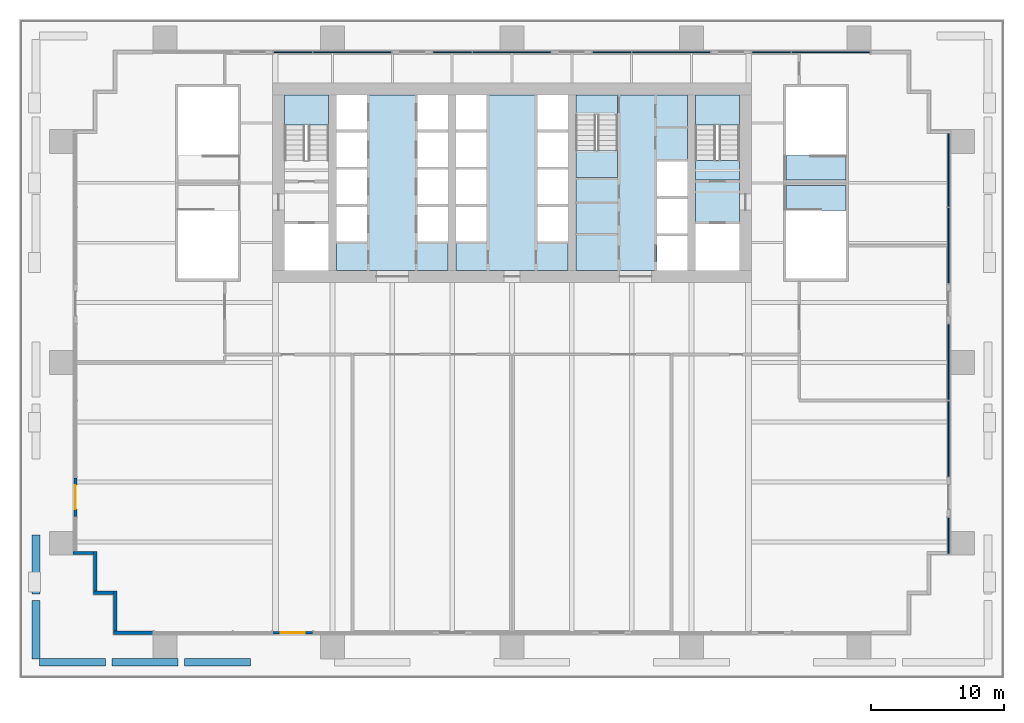
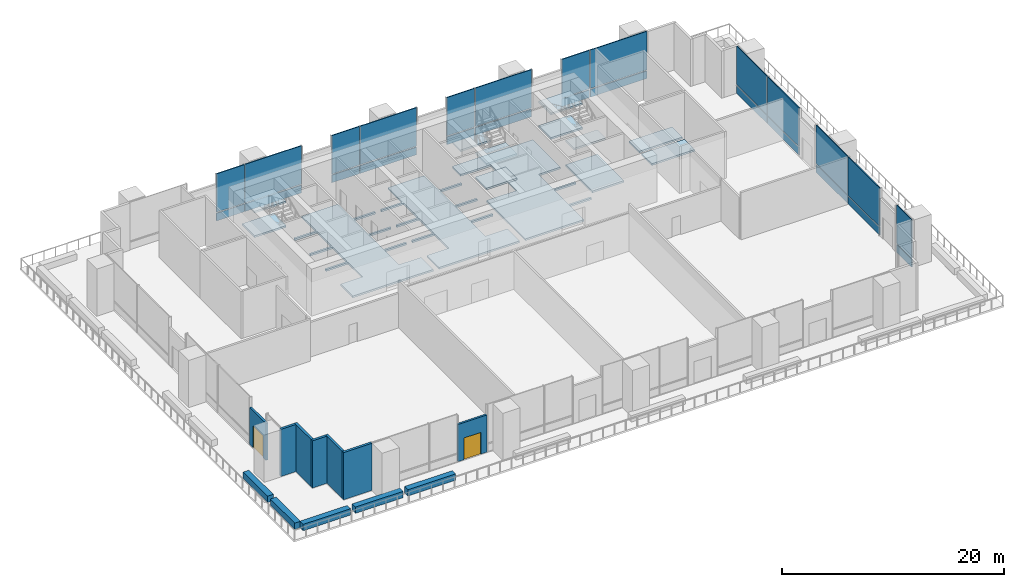
# One storey, part 7 of 16: 26 plates, 14 slabs, 12 walls, 2 doors, 2 openings, 10 elements without a shape of their own.
"""IFC4 building model written with IfcOpenShell, lengths in metres."""

from ifc_helpers import new_model, si_unit, direction, frame, frame_2d, origin, origin_2d, place, context, subcontext, project, spatial, polyline, rectangle, outline, extrude, material, layer, layer_set, type_object, element, fill, aggregate, save


model = new_model("IFC4")

# Units and contexts
model_context = context("Model", 3, precision=1e-05, world=origin(), true_north=direction((0.0, 1.0)))
body_context = subcontext(model_context, "Body", "Model", "MODEL_VIEW")
ifc_project = project(units=[si_unit("LENGTHUNIT", "METRE"), si_unit("AREAUNIT", "SQUARE_METRE"), si_unit("VOLUMEUNIT", "CUBIC_METRE"), si_unit("PLANEANGLEUNIT", "RADIAN"), si_unit("MASSUNIT", "GRAM", prefix="KILO")], contexts=[model_context])

# Site, building, storey
site_placement = place(None, origin())
site = spatial("IfcSite", under=ifc_project, at=site_placement, CompositionType="ELEMENT")
building_placement = place(site_placement, origin())
building = spatial("IfcBuilding", under=site, at=building_placement, Name="Rattan Terrace Tower", CompositionType="ELEMENT")
storey_placement = place(building_placement, frame((0.0, 0.0, 27.0)))
storey = spatial("IfcBuildingStorey", under=building, at=storey_placement, Name="L05", CompositionType="ELEMENT", Elevation=27.0)

# Stair, slabs
ifc_material_1 = material(Name="Concrete C40/50", Category="concrete")
stair_type = type_object("IfcStairType", Name="Core exit stair 1500", PredefinedType="HALF_TURN_STAIR", material=ifc_material_1)
stair_1_placement = place(storey_placement, origin())
stair_1 = element("IfcStair", 1, at=stair_1_placement, inside=storey, type_object=stair_type, Name="L05 exit stair 1", PredefinedType="HALF_TURN_STAIR")
ifc_material_2 = material(Name="Concrete C40/50", Category="concrete")
ifc_layer_1 = layer(ifc_material_2, 0.199951171875)
ifc_layer_set_1 = layer_set([ifc_layer_1], Name="Core exit stair landing")
slab_type_1 = type_object("IfcSlabType", Name="Core exit stair landing", PredefinedType="LANDING", material=ifc_layer_set_1)
slab_1_placement = place(storey_placement, frame((0.0, 0.0, 1.14990234375)))
slab_1 = element("IfcSlab", 2, at=slab_1_placement, type_object=slab_type_1, Name="S1 landing 1", PredefinedType="LANDING", context=body_context, shape_type="SweptSolid", body=[
    extrude(outline(polyline([(-13.800048828125, 4.360107421875), (-13.800048828125, 6.60009765625), (-17.10009765625, 6.60009765625), (-17.10009765625, 4.360107421875), (-13.800048828125, 4.360107421875)])), origin(), (0.0, 0.0, 1.0), 0.2001953125),
])
slab_2_placement = place(storey_placement, frame((0.0, 0.0, 3.85009765625)))
slab_2 = element("IfcSlab", 3, at=slab_2_placement, type_object=slab_type_1, Name="S1 landing 3", PredefinedType="LANDING", context=body_context, shape_type="SweptSolid", body=[
    extrude(outline(polyline([(-13.800048828125, 4.360107421875), (-13.800048828125, 6.60009765625), (-17.10009765625, 6.60009765625), (-17.10009765625, 4.360107421875), (-13.800048828125, 4.360107421875)])), origin(), (0.0, 0.0, 1.0), 0.199951171875),
])
aggregate(stair_1, [slab_1, slab_2])

stair_2_placement = place(storey_placement, origin())
stair_2 = element("IfcStair", 4, at=stair_2_placement, inside=storey, type_object=stair_type, Name="L05 exit stair 2", PredefinedType="HALF_TURN_STAIR")
slab_3_placement = place(storey_placement, frame((0.0, 0.0, 1.14990234375)))
slab_3 = element("IfcSlab", 5, at=slab_3_placement, type_object=slab_type_1, Name="S2 landing 1", PredefinedType="LANDING", context=body_context, shape_type="SweptSolid", body=[
    extrude(outline(polyline([(17.10009765625, 4.360107421875), (17.10009765625, 6.60009765625), (13.800048828125, 6.60009765625), (13.800048828125, 4.360107421875), (17.10009765625, 4.360107421875)])), origin(), (0.0, 0.0, 1.0), 0.2001953125),
])
slab_4_placement = place(storey_placement, frame((0.0, 0.0, 2.5)))
slab_4 = element("IfcSlab", 6, at=slab_4_placement, type_object=slab_type_1, Name="S2 landing 2", PredefinedType="LANDING", context=body_context, shape_type="SweptSolid", body=[
    extrude(outline(polyline([(17.10009765625, 0.199951171875), (17.10009765625, 1.699951171875), (13.800048828125, 1.699951171875), (13.800048828125, 0.199951171875), (17.10009765625, 0.199951171875)])), origin(), (0.0, 0.0, 1.0), 0.199951171875),
])
slab_5_placement = place(storey_placement, frame((0.0, 0.0, 3.85009765625)))
slab_5 = element("IfcSlab", 7, at=slab_5_placement, type_object=slab_type_1, Name="S2 landing 3", PredefinedType="LANDING", context=body_context, shape_type="SweptSolid", body=[
    extrude(outline(polyline([(17.10009765625, 4.360107421875), (17.10009765625, 6.60009765625), (13.800048828125, 6.60009765625), (13.800048828125, 4.360107421875), (17.10009765625, 4.360107421875)])), origin(), (0.0, 0.0, 1.0), 0.199951171875),
])
aggregate(stair_2, [slab_3, slab_4, slab_5])

stair_3_placement = place(storey_placement, origin())
stair_3 = element("IfcStair", 8, at=stair_3_placement, inside=storey, type_object=stair_type, Name="L05 exit stair 3", PredefinedType="HALF_TURN_STAIR")
slab_6_placement = place(storey_placement, frame((0.0, 0.0, 1.14990234375)))
slab_6 = element("IfcSlab", 9, at=slab_6_placement, type_object=slab_type_1, Name="S3 landing 1", PredefinedType="LANDING", context=body_context, shape_type="SweptSolid", body=[
    extrude(outline(polyline([(4.800048828125, 2.43994140625), (4.800048828125, 0.39990234375), (7.949951171875, 0.39990234375), (7.949951171875, 2.43994140625), (4.800048828125, 2.43994140625)])), origin(), (0.0, 0.0, 1.0), 0.2001953125),
])
slab_7_placement = place(storey_placement, frame((0.0, 0.0, 2.5)))
slab_7 = element("IfcSlab", 10, at=slab_7_placement, type_object=slab_type_1, Name="S3 landing 2", PredefinedType="LANDING", context=body_context, shape_type="SweptSolid", body=[
    extrude(outline(polyline([(4.800048828125, 6.60009765625), (4.800048828125, 5.10009765625), (7.949951171875, 5.10009765625), (7.949951171875, 6.60009765625), (4.800048828125, 6.60009765625)])), origin(), (0.0, 0.0, 1.0), 0.199951171875),
])
slab_8_placement = place(storey_placement, frame((0.0, 0.0, 3.85009765625)))
slab_8 = element("IfcSlab", 11, at=slab_8_placement, type_object=slab_type_1, Name="S3 landing 3", PredefinedType="LANDING", context=body_context, shape_type="SweptSolid", body=[
    extrude(outline(polyline([(4.800048828125, 2.43994140625), (4.800048828125, 0.39990234375), (7.949951171875, 0.39990234375), (7.949951171875, 2.43994140625), (4.800048828125, 2.43994140625)])), origin(), (0.0, 0.0, 1.0), 0.199951171875),
])
aggregate(stair_3, [slab_6, slab_7, slab_8])

# Slabs
ifc_material_3 = material(Name="Concrete C35/45", Category="concrete")
ifc_layer_2 = layer(ifc_material_3, 0.199951171875)
ifc_layer_set_2 = layer_set([ifc_layer_2], Name="Frame composite floor slab 200")
slab_type_2 = type_object("IfcSlabType", Name="Frame composite floor slab 200", PredefinedType="FLOOR", material=ifc_layer_set_2)
slab_9_placement = place(storey_placement, frame((0.0, 0.0, -0.199951171875)))
element("IfcSlab", 12, at=slab_9_placement, inside=storey, type_object=slab_type_2, Name="Floor slab", PredefinedType="FLOOR", context=body_context, shape_type="SweptSolid", body=[
    extrude(outline(polyline([(-10.89990234375, 6.60009765625), (-10.89990234375, 4.0), (-13.199951171875, 4.0), (-13.199951171875, 3.800048828125), (-10.89990234375, 3.800048828125), (-10.89990234375, 1.199951171875), (-13.199951171875, 1.199951171875), (-13.199951171875, 1.0), (-10.89990234375, 1.0), (-10.89990234375, -1.60009765625), (-13.199951171875, -1.60009765625), (-13.199951171875, -1.800048828125), (-10.89990234375, -1.800048828125), (-10.89990234375, -4.39990234375), (-13.199951171875, -4.39990234375), (-13.199951171875, -6.60009765625), (-4.800048828125, -6.60009765625), (-4.800048828125, -4.39990234375), (-7.10009765625, -4.39990234375), (-7.10009765625, -1.800048828125), (-4.800048828125, -1.800048828125), (-4.800048828125, -1.60009765625), (-7.10009765625, -1.60009765625), (-7.10009765625, 1.0), (-4.800048828125, 1.0), (-4.800048828125, 1.199951171875), (-7.10009765625, 1.199951171875), (-7.10009765625, 3.800048828125), (-4.800048828125, 3.800048828125), (-4.800048828125, 4.0), (-7.10009765625, 4.0), (-7.10009765625, 6.60009765625), (-10.89990234375, 6.60009765625)])), origin(), (0.0, 0.0, 1.0), 0.199951171875),
])
slab_10_placement = place(storey_placement, frame((0.0, 0.0, -0.199951171875)))
element("IfcSlab", 13, at=slab_10_placement, inside=storey, type_object=slab_type_2, Name="Floor slab", PredefinedType="FLOOR", context=body_context, shape_type="SweptSolid", body=[
    extrude(outline(polyline([(-4.199951171875, -6.60009765625), (4.199951171875, -6.60009765625), (4.199951171875, -4.39990234375), (1.89990234375, -4.39990234375), (1.89990234375, -1.800048828125), (4.199951171875, -1.800048828125), (4.199951171875, -1.60009765625), (1.89990234375, -1.60009765625), (1.89990234375, 1.0), (4.199951171875, 1.0), (4.199951171875, 1.199951171875), (1.89990234375, 1.199951171875), (1.89990234375, 3.800048828125), (4.199951171875, 3.800048828125), (4.199951171875, 4.0), (1.89990234375, 4.0), (1.89990234375, 6.60009765625), (-1.89990234375, 6.60009765625), (-1.89990234375, 4.0), (-4.199951171875, 4.0), (-4.199951171875, 3.800048828125), (-1.89990234375, 3.800048828125), (-1.89990234375, 1.199951171875), (-4.199951171875, 1.199951171875), (-4.199951171875, 1.0), (-1.89990234375, 1.0), (-1.89990234375, -1.60009765625), (-4.199951171875, -1.60009765625), (-4.199951171875, -1.800048828125), (-1.89990234375, -1.800048828125), (-1.89990234375, -4.39990234375), (-4.199951171875, -4.39990234375), (-4.199951171875, -6.60009765625)])), origin(), (0.0, 0.0, 1.0), 0.199951171875),
])
slab_11_placement = place(storey_placement, frame((0.0, 0.0, -0.199951171875)))
element("IfcSlab", 14, at=slab_11_placement, inside=storey, type_object=slab_type_2, Name="Floor slab", PredefinedType="FLOOR", context=body_context, shape_type="SweptSolid", body=[
    extrude(outline(polyline([(4.800048828125, -6.60009765625), (10.89990234375, -6.60009765625), (10.89990234375, -4.0), (13.199951171875, -4.0), (13.199951171875, -3.800048828125), (10.89990234375, -3.800048828125), (10.89990234375, -1.199951171875), (13.199951171875, -1.199951171875), (13.199951171875, -1.0), (10.89990234375, -1.0), (10.89990234375, 1.60009765625), (13.199951171875, 1.60009765625), (13.199951171875, 6.60009765625), (4.800048828125, 6.60009765625), (4.800048828125, 5.090087890625), (7.949951171875, 5.090087890625), (7.949951171875, 0.39990234375), (4.800048828125, 0.39990234375), (4.800048828125, -6.60009765625)])), origin(), (0.0, 0.0, 1.0), 0.199951171875),
])
slab_12_placement = place(storey_placement, frame((0.0, 0.0, -0.199951171875)))
element("IfcSlab", 15, at=slab_12_placement, inside=storey, type_object=slab_type_2, Name="Floor slab", PredefinedType="FLOOR", context=body_context, shape_type="SweptSolid", body=[
    extrude(outline(polyline([(17.10009765625, -3.10009765625), (17.10009765625, 1.7099609375), (13.800048828125, 1.7099609375), (13.800048828125, -3.10009765625), (17.10009765625, -3.10009765625)])), origin(), (0.0, 0.0, 1.0), 0.199951171875),
])
slab_13_placement = place(storey_placement, frame((0.0, 0.0, -0.199951171875)))
element("IfcSlab", 16, at=slab_13_placement, inside=storey, type_object=slab_type_2, Name="Floor slab", PredefinedType="FLOOR", context=body_context, shape_type="SweptSolid", body=[
    extrude(outline(polyline([(25.10009765625, -0.199951171875), (20.60009765625, -0.199951171875), (20.60009765625, -2.06005859375), (25.10009765625, -2.06005859375), (25.10009765625, -0.199951171875)])), origin(), (0.0, 0.0, 1.0), 0.199951171875),
])
slab_14_placement = place(storey_placement, frame((0.0, 0.0, -0.199951171875)))
element("IfcSlab", 17, at=slab_14_placement, inside=storey, type_object=slab_type_2, Name="Floor slab", PredefinedType="FLOOR", context=body_context, shape_type="SweptSolid", body=[
    extrude(outline(polyline([(25.10009765625, 2.06005859375), (20.60009765625, 2.06005859375), (20.60009765625, 0.199951171875), (25.10009765625, 0.199951171875), (25.10009765625, 2.06005859375)])), origin(), (0.0, 0.0, 1.0), 0.199951171875),
])

# Curtain wall, plate
ifc_material_4 = material(Name="Steel fins, aluminium and glass", Category="steel")
ifc_layer_3 = layer(ifc_material_4, 0.300048828125)
ifc_layer_set_3 = layer_set([ifc_layer_3], Name="Sky Lobby Stick Curtain Wall")
curtain_wall_type = type_object("IfcCurtainWallType", Name="Sky Lobby Stick Curtain Wall", PredefinedType="NOTDEFINED", material=ifc_layer_set_3)
curtain_wall_1_placement = place(storey_placement, origin())
curtain_wall_1 = element("IfcCurtainWall", 18, at=curtain_wall_1_placement, inside=storey, type_object=curtain_wall_type, Name="Sky lobby curtain wall L05-1", PredefinedType="NOTDEFINED")
ifc_material_5 = material(Name="Insulated aluminium spandrel panel", Category="aluminium")
ifc_layer_4 = layer(ifc_material_5, 0.10009765625)
ifc_layer_set_4 = layer_set([ifc_layer_4], Name="Sky Lobby CW Insulated Panel")
plate_type_1 = type_object("IfcPlateType", Name="Sky Lobby CW Insulated Panel", PredefinedType="CURTAIN_PANEL", material=ifc_layer_set_4)
plate_1_placement = place(storey_placement, frame((32.830078125, -26.52294921875, 0.0), z_axis=(0.0, 0.0, 1.0), x_axis=(0.0, 1.0, 0.0)))
plate_1 = element("IfcPlate", 19, at=plate_1_placement, type_object=plate_type_1, Name="Panel cwl-L05-001.1.1", PredefinedType="CURTAIN_PANEL", context=body_context, shape_type="SweptSolid", body=[
    extrude(rectangle(XDim=2.7041015625, YDim=0.10009765625, at=origin_2d()), origin(), (0.0, 0.0, 1.0), 0.840087890625),
])

# Curtain wall, plates
curtain_wall_2_placement = place(storey_placement, origin())
curtain_wall_2 = element("IfcCurtainWall", 20, at=curtain_wall_2_placement, inside=storey, type_object=curtain_wall_type, Name="Sky lobby curtain wall L05-2", PredefinedType="NOTDEFINED")
plate_2_placement = place(storey_placement, frame((32.830078125, -19.2529296875, 0.0), z_axis=(0.0, 0.0, 1.0), x_axis=(0.0, 1.0, 0.0)))
plate_2 = element("IfcPlate", 21, at=plate_2_placement, type_object=plate_type_1, Name="Panel cwl-L05-002.1.1", PredefinedType="CURTAIN_PANEL", context=body_context, shape_type="SweptSolid", body=[
    extrude(rectangle(XDim=5.697998046875, YDim=0.10009765625, at=origin_2d()), origin(), (0.0, 0.0, 1.0), 0.840087890625),
])
plate_3_placement = place(storey_placement, frame((32.830078125, -13.47509765625, 0.0), z_axis=(0.0, 0.0, 1.0), x_axis=(0.0, 1.0, 0.0)))
plate_3 = element("IfcPlate", 22, at=plate_3_placement, type_object=plate_type_1, Name="Panel cwl-L05-002.2.1", PredefinedType="CURTAIN_PANEL", context=body_context, shape_type="SweptSolid", body=[
    extrude(rectangle(XDim=5.697998046875, YDim=0.10009765625, at=origin_2d()), origin(), (0.0, 0.0, 1.0), 0.840087890625),
])

curtain_wall_3_placement = place(storey_placement, origin())
curtain_wall_3 = element("IfcCurtainWall", 23, at=curtain_wall_3_placement, inside=storey, type_object=curtain_wall_type, Name="Sky lobby curtain wall L05-3", PredefinedType="NOTDEFINED")
plate_4_placement = place(storey_placement, frame((32.830078125, -4.7080078125, 0.0), z_axis=(0.0, 0.0, 1.0), x_axis=(0.0, 1.0, 0.0)))
plate_4 = element("IfcPlate", 24, at=plate_4_placement, type_object=plate_type_1, Name="Panel cwl-L05-003.1.1", PredefinedType="CURTAIN_PANEL", context=body_context, shape_type="SweptSolid", body=[
    extrude(rectangle(XDim=5.697998046875, YDim=0.10009765625, at=origin_2d()), origin(), (0.0, 0.0, 1.0), 0.840087890625),
])
plate_5_placement = place(storey_placement, frame((32.830078125, 0.962890625, 0.0), z_axis=(0.0, 0.0, 1.0), x_axis=(0.0, 1.0, 0.0)))
plate_5 = element("IfcPlate", 25, at=plate_5_placement, type_object=plate_type_1, Name="Panel cwl-L05-003.2.1", PredefinedType="CURTAIN_PANEL", context=body_context, shape_type="SweptSolid", body=[
    extrude(rectangle(XDim=5.48388671875, YDim=0.10009765625, at=origin_2d()), origin(), (0.0, 0.0, 1.0), 0.840087890625),
])

curtain_wall_4_placement = place(storey_placement, origin())
curtain_wall_4 = element("IfcCurtainWall", 26, at=curtain_wall_4_placement, inside=storey, type_object=curtain_wall_type, Name="Sky lobby curtain wall L05-4", PredefinedType="NOTDEFINED")
plate_6_placement = place(storey_placement, frame((23.97998046875, 9.830078125, 0.0), z_axis=(0.0, 0.0, 1.0), x_axis=(-1.0, 0.0, 0.0)))
plate_6 = element("IfcPlate", 27, at=plate_6_placement, type_object=plate_type_1, Name="Panel cwl-L05-004.1.1", PredefinedType="CURTAIN_PANEL", context=body_context, shape_type="SweptSolid", body=[
    extrude(rectangle(XDim=5.8798828125, YDim=0.10009765625, at=origin_2d()), origin(), (0.0, 0.0, 1.0), 0.840087890625),
])
plate_7_placement = place(storey_placement, frame((19.52001953125, 9.830078125, 0.0), z_axis=(0.0, 0.0, 1.0), x_axis=(-1.0, 0.0, 0.0)))
plate_7 = element("IfcPlate", 28, at=plate_7_placement, type_object=plate_type_1, Name="Panel cwl-L05-004.2.1", PredefinedType="CURTAIN_PANEL", context=body_context, shape_type="SweptSolid", body=[
    extrude(rectangle(XDim=2.8798828125, YDim=0.10009765625, at=origin_2d()), origin(), (0.0, 0.0, 1.0), 0.840087890625),
])

curtain_wall_5_placement = place(storey_placement, origin())
curtain_wall_5 = element("IfcCurtainWall", 29, at=curtain_wall_5_placement, inside=storey, type_object=curtain_wall_type, Name="Sky lobby curtain wall L05-5", PredefinedType="NOTDEFINED")
plate_8_placement = place(storey_placement, frame((11.97998046875, 9.830078125, 0.0), z_axis=(0.0, 0.0, 1.0), x_axis=(-1.0, 0.0, 0.0)))
plate_8 = element("IfcPlate", 30, at=plate_8_placement, type_object=plate_type_1, Name="Panel cwl-L05-005.1.1", PredefinedType="CURTAIN_PANEL", context=body_context, shape_type="SweptSolid", body=[
    extrude(rectangle(XDim=5.8798828125, YDim=0.10009765625, at=origin_2d()), origin(), (0.0, 0.0, 1.0), 0.840087890625),
])
plate_9_placement = place(storey_placement, frame((7.52001953125, 9.830078125, 0.0), z_axis=(0.0, 0.0, 1.0), x_axis=(-1.0, 0.0, 0.0)))
plate_9 = element("IfcPlate", 31, at=plate_9_placement, type_object=plate_type_1, Name="Panel cwl-L05-005.2.1", PredefinedType="CURTAIN_PANEL", context=body_context, shape_type="SweptSolid", body=[
    extrude(rectangle(XDim=2.8798828125, YDim=0.10009765625, at=origin_2d()), origin(), (0.0, 0.0, 1.0), 0.840087890625),
])

curtain_wall_6_placement = place(storey_placement, origin())
curtain_wall_6 = element("IfcCurtainWall", 32, at=curtain_wall_6_placement, inside=storey, type_object=curtain_wall_type, Name="Sky lobby curtain wall L05-6", PredefinedType="NOTDEFINED")
plate_10_placement = place(storey_placement, frame((-0.02001953125, 9.830078125, 0.0), z_axis=(0.0, 0.0, 1.0), x_axis=(-1.0, 0.0, 0.0)))
plate_10 = element("IfcPlate", 33, at=plate_10_placement, type_object=plate_type_1, Name="Panel cwl-L05-006.1.1", PredefinedType="CURTAIN_PANEL", context=body_context, shape_type="SweptSolid", body=[
    extrude(rectangle(XDim=5.8798828125, YDim=0.10009765625, at=origin_2d()), origin(), (0.0, 0.0, 1.0), 0.840087890625),
])
plate_11_placement = place(storey_placement, frame((-4.47998046875, 9.830078125, 0.0), z_axis=(0.0, 0.0, 1.0), x_axis=(-1.0, 0.0, 0.0)))
plate_11 = element("IfcPlate", 34, at=plate_11_placement, type_object=plate_type_1, Name="Panel cwl-L05-006.2.1", PredefinedType="CURTAIN_PANEL", context=body_context, shape_type="SweptSolid", body=[
    extrude(rectangle(XDim=2.8798828125, YDim=0.10009765625, at=origin_2d()), origin(), (0.0, 0.0, 1.0), 0.840087890625),
])

curtain_wall_7_placement = place(storey_placement, origin())
curtain_wall_7 = element("IfcCurtainWall", 35, at=curtain_wall_7_placement, inside=storey, type_object=curtain_wall_type, Name="Sky lobby curtain wall L05-7", PredefinedType="NOTDEFINED")
plate_12_placement = place(storey_placement, frame((-12.02001953125, 9.830078125, 0.0), z_axis=(0.0, 0.0, 1.0), x_axis=(-1.0, 0.0, 0.0)))
plate_12 = element("IfcPlate", 36, at=plate_12_placement, type_object=plate_type_1, Name="Panel cwl-L05-007.1.1", PredefinedType="CURTAIN_PANEL", context=body_context, shape_type="SweptSolid", body=[
    extrude(rectangle(XDim=5.8798828125, YDim=0.10009765625, at=origin_2d()), origin(), (0.0, 0.0, 1.0), 0.840087890625),
])
plate_13_placement = place(storey_placement, frame((-16.47998046875, 9.830078125, 0.0), z_axis=(0.0, 0.0, 1.0), x_axis=(-1.0, 0.0, 0.0)))
plate_13 = element("IfcPlate", 37, at=plate_13_placement, type_object=plate_type_1, Name="Panel cwl-L05-007.2.1", PredefinedType="CURTAIN_PANEL", context=body_context, shape_type="SweptSolid", body=[
    extrude(rectangle(XDim=2.8798828125, YDim=0.10009765625, at=origin_2d()), origin(), (0.0, 0.0, 1.0), 0.840087890625),
])

# Plate
ifc_material_6 = material(Name="Laminated low-iron glass", Category="glass")
ifc_layer_5 = layer(ifc_material_6, 0.090087890625)
ifc_layer_set_5 = layer_set([ifc_layer_5], Name="Sky Lobby CW Vision Panel")
plate_type_2 = type_object("IfcPlateType", Name="Sky Lobby CW Vision Panel", PredefinedType="CURTAIN_PANEL", material=ifc_layer_set_5)
plate_14_placement = place(storey_placement, frame((32.830078125, -26.52294921875, 0.9599609375), z_axis=(0.0, 0.0, 1.0), x_axis=(0.0, 1.0, 0.0)))
plate_14 = element("IfcPlate", 38, at=plate_14_placement, type_object=plate_type_2, Name="Panel cwl-L05-001.1.2", PredefinedType="CURTAIN_PANEL", context=body_context, shape_type="SweptSolid", body=[
    extrude(rectangle(XDim=2.7041015625, YDim=0.090087890625, at=origin_2d()), origin(), (0.0, 0.0, 1.0), 4.239990234375),
])

aggregate(curtain_wall_1, [plate_1, plate_14])

plate_15_placement = place(storey_placement, frame((32.830078125, -19.2529296875, 0.9599609375), z_axis=(0.0, 0.0, 1.0), x_axis=(0.0, 1.0, 0.0)))
plate_15 = element("IfcPlate", 39, at=plate_15_placement, type_object=plate_type_2, Name="Panel cwl-L05-002.1.2", PredefinedType="CURTAIN_PANEL", context=body_context, shape_type="SweptSolid", body=[
    extrude(rectangle(XDim=5.697998046875, YDim=0.090087890625, at=origin_2d()), origin(), (0.0, 0.0, 1.0), 4.239990234375),
])

plate_16_placement = place(storey_placement, frame((32.830078125, -13.47509765625, 0.9599609375), z_axis=(0.0, 0.0, 1.0), x_axis=(0.0, 1.0, 0.0)))
plate_16 = element("IfcPlate", 40, at=plate_16_placement, type_object=plate_type_2, Name="Panel cwl-L05-002.2.2", PredefinedType="CURTAIN_PANEL", context=body_context, shape_type="SweptSolid", body=[
    extrude(rectangle(XDim=5.697998046875, YDim=0.090087890625, at=origin_2d()), origin(), (0.0, 0.0, 1.0), 4.239990234375),
])

aggregate(curtain_wall_2, [plate_2, plate_15, plate_3, plate_16])

plate_17_placement = place(storey_placement, frame((32.830078125, -4.7080078125, 0.9599609375), z_axis=(0.0, 0.0, 1.0), x_axis=(0.0, 1.0, 0.0)))
plate_17 = element("IfcPlate", 41, at=plate_17_placement, type_object=plate_type_2, Name="Panel cwl-L05-003.1.2", PredefinedType="CURTAIN_PANEL", context=body_context, shape_type="SweptSolid", body=[
    extrude(rectangle(XDim=5.697998046875, YDim=0.090087890625, at=origin_2d()), origin(), (0.0, 0.0, 1.0), 4.239990234375),
])

plate_18_placement = place(storey_placement, frame((32.830078125, 0.962890625, 0.9599609375), z_axis=(0.0, 0.0, 1.0), x_axis=(0.0, 1.0, 0.0)))
plate_18 = element("IfcPlate", 42, at=plate_18_placement, type_object=plate_type_2, Name="Panel cwl-L05-003.2.2", PredefinedType="CURTAIN_PANEL", context=body_context, shape_type="SweptSolid", body=[
    extrude(rectangle(XDim=5.48388671875, YDim=0.090087890625, at=origin_2d()), origin(), (0.0, 0.0, 1.0), 4.239990234375),
])

aggregate(curtain_wall_3, [plate_4, plate_17, plate_5, plate_18])

plate_19_placement = place(storey_placement, frame((23.97998046875, 9.830078125, 0.9599609375), z_axis=(0.0, 0.0, 1.0), x_axis=(-1.0, 0.0, 0.0)))
plate_19 = element("IfcPlate", 43, at=plate_19_placement, type_object=plate_type_2, Name="Panel cwl-L05-004.1.2", PredefinedType="CURTAIN_PANEL", context=body_context, shape_type="SweptSolid", body=[
    extrude(rectangle(XDim=5.8798828125, YDim=0.090087890625, at=origin_2d()), origin(), (0.0, 0.0, 1.0), 4.239990234375),
])

plate_20_placement = place(storey_placement, frame((19.52001953125, 9.830078125, 0.9599609375), z_axis=(0.0, 0.0, 1.0), x_axis=(-1.0, 0.0, 0.0)))
plate_20 = element("IfcPlate", 44, at=plate_20_placement, type_object=plate_type_2, Name="Panel cwl-L05-004.2.2", PredefinedType="CURTAIN_PANEL", context=body_context, shape_type="SweptSolid", body=[
    extrude(rectangle(XDim=2.8798828125, YDim=0.090087890625, at=origin_2d()), origin(), (0.0, 0.0, 1.0), 4.239990234375),
])

aggregate(curtain_wall_4, [plate_6, plate_19, plate_7, plate_20])

plate_21_placement = place(storey_placement, frame((11.97998046875, 9.830078125, 0.9599609375), z_axis=(0.0, 0.0, 1.0), x_axis=(-1.0, 0.0, 0.0)))
plate_21 = element("IfcPlate", 45, at=plate_21_placement, type_object=plate_type_2, Name="Panel cwl-L05-005.1.2", PredefinedType="CURTAIN_PANEL", context=body_context, shape_type="SweptSolid", body=[
    extrude(rectangle(XDim=5.8798828125, YDim=0.090087890625, at=origin_2d()), origin(), (0.0, 0.0, 1.0), 4.239990234375),
])

plate_22_placement = place(storey_placement, frame((7.52001953125, 9.830078125, 0.9599609375), z_axis=(0.0, 0.0, 1.0), x_axis=(-1.0, 0.0, 0.0)))
plate_22 = element("IfcPlate", 46, at=plate_22_placement, type_object=plate_type_2, Name="Panel cwl-L05-005.2.2", PredefinedType="CURTAIN_PANEL", context=body_context, shape_type="SweptSolid", body=[
    extrude(rectangle(XDim=2.8798828125, YDim=0.090087890625, at=origin_2d()), origin(), (0.0, 0.0, 1.0), 4.239990234375),
])

aggregate(curtain_wall_5, [plate_8, plate_21, plate_9, plate_22])

plate_23_placement = place(storey_placement, frame((-0.02001953125, 9.830078125, 0.9599609375), z_axis=(0.0, 0.0, 1.0), x_axis=(-1.0, 0.0, 0.0)))
plate_23 = element("IfcPlate", 47, at=plate_23_placement, type_object=plate_type_2, Name="Panel cwl-L05-006.1.2", PredefinedType="CURTAIN_PANEL", context=body_context, shape_type="SweptSolid", body=[
    extrude(rectangle(XDim=5.8798828125, YDim=0.090087890625, at=origin_2d()), origin(), (0.0, 0.0, 1.0), 4.239990234375),
])

plate_24_placement = place(storey_placement, frame((-4.47998046875, 9.830078125, 0.9599609375), z_axis=(0.0, 0.0, 1.0), x_axis=(-1.0, 0.0, 0.0)))
plate_24 = element("IfcPlate", 48, at=plate_24_placement, type_object=plate_type_2, Name="Panel cwl-L05-006.2.2", PredefinedType="CURTAIN_PANEL", context=body_context, shape_type="SweptSolid", body=[
    extrude(rectangle(XDim=2.8798828125, YDim=0.090087890625, at=origin_2d()), origin(), (0.0, 0.0, 1.0), 4.239990234375),
])

aggregate(curtain_wall_6, [plate_10, plate_23, plate_11, plate_24])

plate_25_placement = place(storey_placement, frame((-12.02001953125, 9.830078125, 0.9599609375), z_axis=(0.0, 0.0, 1.0), x_axis=(-1.0, 0.0, 0.0)))
plate_25 = element("IfcPlate", 49, at=plate_25_placement, type_object=plate_type_2, Name="Panel cwl-L05-007.1.2", PredefinedType="CURTAIN_PANEL", context=body_context, shape_type="SweptSolid", body=[
    extrude(rectangle(XDim=5.8798828125, YDim=0.090087890625, at=origin_2d()), origin(), (0.0, 0.0, 1.0), 4.239990234375),
])

plate_26_placement = place(storey_placement, frame((-16.47998046875, 9.830078125, 0.9599609375), z_axis=(0.0, 0.0, 1.0), x_axis=(-1.0, 0.0, 0.0)))
plate_26 = element("IfcPlate", 50, at=plate_26_placement, type_object=plate_type_2, Name="Panel cwl-L05-007.2.2", PredefinedType="CURTAIN_PANEL", context=body_context, shape_type="SweptSolid", body=[
    extrude(rectangle(XDim=2.8798828125, YDim=0.090087890625, at=origin_2d()), origin(), (0.0, 0.0, 1.0), 4.239990234375),
])

aggregate(curtain_wall_7, [plate_12, plate_25, plate_13, plate_26])

# Wall, opening, door
ifc_material_7 = material(Name="Insulated aluminium-clad stud wall", Category="aluminium")
ifc_layer_6 = layer(ifc_material_7, 0.199951171875)
ifc_layer_set_6 = layer_set([ifc_layer_6], Name="Facade Door Wall 200")
wall_type_1 = type_object("IfcWallType", Name="Facade Door Wall 200", PredefinedType="SOLIDWALL", material=ifc_layer_set_6)
wall_1_placement = place(storey_placement, frame((-32.830078125, -22.180908203125, 0.0), z_axis=(0.0, 0.0, 1.0), x_axis=(0.0, -1.0, 0.0)))
wall_1 = element("IfcWall", 51, at=wall_1_placement, inside=storey, type_object=wall_type_1, Name="Terrace door wall L05-23", PredefinedType="SOLIDWALL", context=body_context, shape_type="SweptSolid", body=[
    extrude(rectangle(XDim=2.9091796875, YDim=0.199951171875, at=frame_2d((1.45458984375, 0.0))), origin(), (0.0, 0.0, 1.0), 4.10009765625),
])
opening_1_placement = place(wall_1_placement, frame((0.554443359375, 0.0, 0.0)))
opening_1 = element("IfcOpeningElement", 52, at=opening_1_placement, cuts=wall_1, Name="Opening L05-D708", PredefinedType="OPENING", context=body_context, shape_type="SweptSolid", body=[
    extrude(rectangle(XDim=1.800048828125, YDim=2.39990234375, at=frame_2d((0.89990234375, 1.199951171875))), frame((0.0, 0.110595703125, 0.0), z_axis=(0.0, -1.0, 0.0), x_axis=(1.0, 0.0, 0.0)), (0.0, 0.0, 1.0), 0.220947265625),
])
ifc_material_8 = material(Name="Aluminium and clear glass", Category="aluminium")
door_type = type_object("IfcDoorType", Name="Facade Terrace Door 1800", OperationType="DOUBLE_DOOR_SINGLE_SWING", PredefinedType="DOOR", material=ifc_material_8)
door_1_placement = place(opening_1_placement, origin())
door_1 = element("IfcDoor", 53, at=door_1_placement, inside=storey, type_object=door_type, Name="Terrace door L05-D708", OperationType="DOUBLE_DOOR_SINGLE_SWING", OverallHeight=2.39990234375, OverallWidth=1.800048828125, PredefinedType="DOOR", context=body_context, shape_type="SweptSolid", body=[
    extrude(rectangle(XDim=1.800048828125, YDim=2.39990234375, at=frame_2d((0.89990234375, 1.199951171875))), frame((0.0, 0.02490234375, 0.0), z_axis=(0.0, -1.0, 0.0), x_axis=(1.0, 0.0, 0.0)), (0.0, 0.0, 1.0), 0.050048828125),
])
fill(opening_1, door_1)

wall_2_placement = place(storey_placement, frame((-18.0, -33.830078125, 0.0), z_axis=(0.0, 0.0, 1.0), x_axis=(1.0, 0.0, 0.0)))
wall_2 = element("IfcWall", 54, at=wall_2_placement, inside=storey, type_object=wall_type_1, Name="Terrace door wall L05-29", PredefinedType="SOLIDWALL", context=body_context, shape_type="SweptSolid", body=[
    extrude(rectangle(XDim=3.0, YDim=0.199951171875, at=frame_2d((1.5, 0.0))), origin(), (0.0, 0.0, 1.0), 4.10009765625),
])
opening_2_placement = place(wall_2_placement, frame((0.60009765625, 0.0, 0.0)))
opening_2 = element("IfcOpeningElement", 55, at=opening_2_placement, cuts=wall_2, Name="Opening L05-D709", PredefinedType="OPENING", context=body_context, shape_type="SweptSolid", body=[
    extrude(rectangle(XDim=1.800048828125, YDim=2.39990234375, at=frame_2d((0.89990234375, 1.199951171875))), frame((0.0, 0.110595703125, 0.0), z_axis=(0.0, -1.0, 0.0), x_axis=(1.0, 0.0, 0.0)), (0.0, 0.0, 1.0), 0.220947265625),
])
door_2_placement = place(opening_2_placement, origin())
door_2 = element("IfcDoor", 56, at=door_2_placement, inside=storey, type_object=door_type, Name="Terrace door L05-D709", OperationType="DOUBLE_DOOR_SINGLE_SWING", OverallHeight=2.39990234375, OverallWidth=1.800048828125, PredefinedType="DOOR", context=body_context, shape_type="SweptSolid", body=[
    extrude(rectangle(XDim=1.800048828125, YDim=2.39990234375, at=frame_2d((0.89990234375, 1.199951171875))), frame((0.0, 0.02490234375, 0.0), z_axis=(0.0, -1.0, 0.0), x_axis=(1.0, 0.0, 0.0)), (0.0, 0.0, 1.0), 0.050048828125),
])
fill(opening_2, door_2)

# Walls
ifc_material_9 = material(Name="Precast concrete C30/37", Category="concrete")
ifc_layer_7 = layer(ifc_material_9, 0.60009765625)
ifc_layer_set_7 = layer_set([ifc_layer_7], Name="Facade Planter Wall 600")
wall_type_2 = type_object("IfcWallType", Name="Facade Planter Wall 600", PredefinedType="SOLIDWALL", material=ifc_layer_set_7)
wall_3_placement = place(storey_placement, frame((-19.658935546875, -36.050048828125, 0.0), z_axis=(0.0, 0.0, 1.0), x_axis=(-1.0, 0.0, 0.0)))
element("IfcWall", 57, at=wall_3_placement, inside=storey, type_object=wall_type_2, Name="PLANTER bed L05-1", PredefinedType="SOLIDWALL", context=body_context, shape_type="SweptSolid", body=[
    extrude(rectangle(XDim=4.963134765625, YDim=0.60009765625, at=frame_2d((2.4814453125, 0.0))), origin(), (0.0, 0.0, 1.0), 0.699951171875),
])
wall_4_placement = place(storey_placement, frame((-25.1220703125, -36.050048828125, 0.0), z_axis=(0.0, 0.0, 1.0), x_axis=(-1.0, 0.0, 0.0)))
element("IfcWall", 58, at=wall_4_placement, inside=storey, type_object=wall_type_2, Name="PLANTER bed L05-2", PredefinedType="SOLIDWALL", context=body_context, shape_type="SweptSolid", body=[
    extrude(rectangle(XDim=4.9638671875, YDim=0.60009765625, at=frame_2d((2.48193359375, 0.0))), origin(), (0.0, 0.0, 1.0), 0.699951171875),
])
wall_5_placement = place(storey_placement, frame((-30.5859375, -36.050048828125, 0.0), z_axis=(0.0, 0.0, 1.0), x_axis=(-1.0, 0.0, 0.0)))
element("IfcWall", 59, at=wall_5_placement, inside=storey, type_object=wall_type_2, Name="PLANTER bed L05-3", PredefinedType="SOLIDWALL", context=body_context, shape_type="SweptSolid", body=[
    extrude(rectangle(XDim=4.964111328125, YDim=0.60009765625, at=frame_2d((2.48193359375, 0.0))), origin(), (0.0, 0.0, 1.0), 0.699951171875),
])
wall_6_placement = place(storey_placement, frame((-35.800048828125, -35.800048828125, 0.0), z_axis=(0.0, 0.0, 1.0), x_axis=(0.0, 1.0, 0.0)))
element("IfcWall", 60, at=wall_6_placement, inside=storey, type_object=wall_type_2, Name="PLANTER bed L05-4", PredefinedType="SOLIDWALL", context=body_context, shape_type="SweptSolid", body=[
    extrude(rectangle(XDim=4.401123046875, YDim=0.60009765625, at=frame_2d((2.20068359375, 0.0))), origin(), (0.0, 0.0, 1.0), 0.699951171875),
])
wall_7_placement = place(storey_placement, frame((-35.800048828125, -30.89892578125, 0.0), z_axis=(0.0, 0.0, 1.0), x_axis=(0.0, 1.0, 0.0)))
element("IfcWall", 61, at=wall_7_placement, inside=storey, type_object=wall_type_2, Name="PLANTER bed L05-5", PredefinedType="SOLIDWALL", context=body_context, shape_type="SweptSolid", body=[
    extrude(rectangle(XDim=4.40185546875, YDim=0.60009765625, at=frame_2d((2.200927734375, 0.0))), origin(), (0.0, 0.0, 1.0), 0.699951171875),
])
ifc_material_10 = material(Name="Insulated aluminium-clad stud wall", Category="aluminium")
ifc_layer_8 = layer(ifc_material_10, 0.25)
ifc_layer_set_8 = layer_set([ifc_layer_8], Name="Facade Riser Wall 250")
wall_type_3 = type_object("IfcWallType", Name="Facade Riser Wall 250", PredefinedType="SOLIDWALL", material=ifc_layer_set_8)
wall_8_placement = place(storey_placement, frame((-33.0048828125, -27.830078125, 0.0), z_axis=(0.0, 0.0, 1.0), x_axis=(1.0, 0.0, 0.0)))
element("IfcWall", 62, at=wall_8_placement, inside=storey, type_object=wall_type_3, Name="Riser wall L05-24", PredefinedType="SOLIDWALL", context=body_context, shape_type="SweptSolid", body=[
    extrude(rectangle(XDim=1.5498046875, YDim=0.25, at=frame_2d((0.77490234375, 0.0))), origin(), (0.0, 0.0, 1.0), 5.199951171875),
])
wall_9_placement = place(storey_placement, frame((-31.330078125, -27.705078125, 0.0), z_axis=(0.0, 0.0, 1.0), x_axis=(0.0, -1.0, 0.0)))
element("IfcWall", 63, at=wall_9_placement, inside=storey, type_object=wall_type_3, Name="Riser wall L05-25", PredefinedType="SOLIDWALL", context=body_context, shape_type="SweptSolid", body=[
    extrude(rectangle(XDim=3.0, YDim=0.25, at=frame_2d((1.5, 0.0))), origin(), (0.0, 0.0, 1.0), 5.199951171875),
])
wall_10_placement = place(storey_placement, frame((-31.455078125, -30.830078125, 0.0), z_axis=(0.0, 0.0, 1.0), x_axis=(1.0, 0.0, 0.0)))
element("IfcWall", 64, at=wall_10_placement, inside=storey, type_object=wall_type_3, Name="Riser wall L05-26", PredefinedType="SOLIDWALL", context=body_context, shape_type="SweptSolid", body=[
    extrude(rectangle(XDim=1.5, YDim=0.25, at=frame_2d((0.75, 0.0))), origin(), (0.0, 0.0, 1.0), 5.199951171875),
])
wall_11_placement = place(storey_placement, frame((-29.830078125, -30.705078125, 0.0), z_axis=(0.0, 0.0, 1.0), x_axis=(0.0, -1.0, 0.0)))
element("IfcWall", 65, at=wall_11_placement, inside=storey, type_object=wall_type_3, Name="Riser wall L05-27", PredefinedType="SOLIDWALL", context=body_context, shape_type="SweptSolid", body=[
    extrude(rectangle(XDim=3.0, YDim=0.25, at=frame_2d((1.5, 0.0))), origin(), (0.0, 0.0, 1.0), 5.199951171875),
])
wall_12_placement = place(storey_placement, frame((-29.955078125, -33.830078125, 0.0), z_axis=(0.0, 0.0, 1.0), x_axis=(1.0, 0.0, 0.0)))
element("IfcWall", 66, at=wall_12_placement, inside=storey, type_object=wall_type_3, Name="Riser wall L05-28", PredefinedType="SOLIDWALL", context=body_context, shape_type="SweptSolid", body=[
    extrude(rectangle(XDim=2.955078125, YDim=0.25, at=frame_2d((1.4775390625, 0.0))), origin(), (0.0, 0.0, 1.0), 5.199951171875),
])

save(model, "model.ifc")
